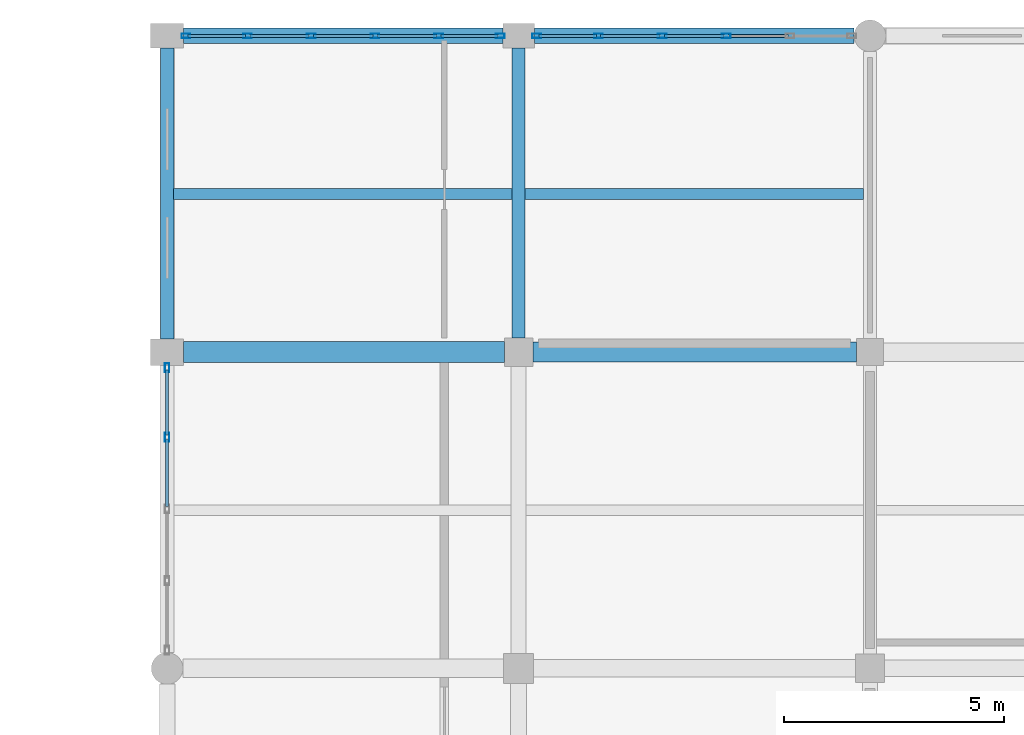
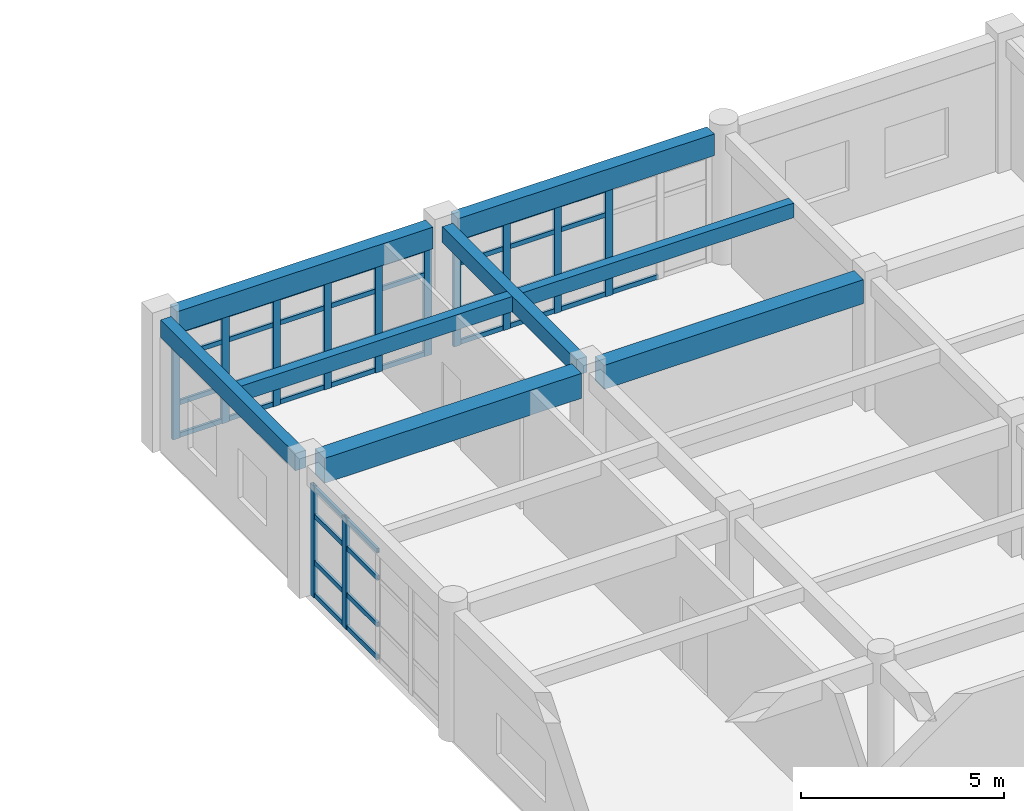
# One storey, part 112 of 195: 53 members, 8 beams, 3 elements without a shape of their own.
"""IFC4 building model written with IfcOpenShell, lengths in metres."""

from ifc_helpers import new_model, si_unit, direction, frame, origin, origin_2d, place, context, subcontext, project, spatial, rectangle, hollow_rectangle, extrude, material, material_profile, profile_set, type_object, element, aggregate, save


model = new_model("IFC4")

# Units and contexts
model_context = context("Model", 3, precision=1e-05, world=origin(), true_north=direction((0.0, 1.0)))
body_context = subcontext(model_context, "Body", "Model", "MODEL_VIEW")
ifc_project = project(units=[si_unit("LENGTHUNIT", "METRE"), si_unit("AREAUNIT", "SQUARE_METRE"), si_unit("VOLUMEUNIT", "CUBIC_METRE"), si_unit("PLANEANGLEUNIT", "RADIAN"), si_unit("MASSUNIT", "GRAM", prefix="KILO")], contexts=[model_context])

# Site, building, storey
site_placement = place(None, origin())
site = spatial("IfcSite", under=ifc_project, at=site_placement, CompositionType="ELEMENT")
building_placement = place(site_placement, origin())
building = spatial("IfcBuilding", under=site, at=building_placement, Name="Kharva Crest Polytechnic", CompositionType="ELEMENT")
storey_placement = place(building_placement, frame((0.0, 0.0, 9.0)))
storey = spatial("IfcBuildingStorey", under=building, at=storey_placement, Name="L02", CompositionType="ELEMENT", Elevation=9.0)

# Beams
ifc_material_1 = material(Name="Concrete C35/45", Category="concrete")
ifc_material_profile_1 = material_profile(ifc_material_1, rectangle(XDim=0.300048828125, YDim=0.47998046875, at=origin_2d()), Name="RECT 300 X 480")
ifc_profile_set_1 = profile_set([ifc_material_profile_1], Name="Concrete C35/45")
beam_type_1 = type_object("IfcBeamType", Name="BM-RC-300X480", PredefinedType="BEAM", material=ifc_profile_set_1)
beam_1_placement = place(storey_placement, frame((40.0, 115.125, 3.679931640625), z_axis=(0.0, 1.0, 0.0), x_axis=(-1.0, 0.0, 0.0)))
element("IfcBeam", 1, at=beam_1_placement, inside=storey, type_object=beam_type_1, Name="L02 Girder 6/R-S", PredefinedType="BEAM", context=body_context, shape_type="SweptSolid", body=[
    extrude(rectangle(XDim=0.300048828125, YDim=0.47998046875, at=origin_2d()), origin(), (0.0, 0.0, 1.0), 6.60009765625),
])
ifc_material_profile_2 = material_profile(ifc_material_1, rectangle(XDim=0.449951171875, YDim=0.719970703125, at=origin_2d()), Name="RECT 450 X 720")
ifc_profile_set_2 = profile_set([ifc_material_profile_2], Name="Concrete C35/45")
beam_type_2 = type_object("IfcBeamType", Name="BM-RC-450X720", PredefinedType="BEAM", material=ifc_profile_set_2)
beam_2_placement = place(storey_placement, frame((40.324951171875, 114.800048828125, 3.56005859375), z_axis=(1.0, 0.0, 0.0), x_axis=(0.0, 1.0, 0.0)))
element("IfcBeam", 2, at=beam_2_placement, inside=storey, type_object=beam_type_2, Name="L02 Beam R/6-7", PredefinedType="BEAM", context=body_context, shape_type="SweptSolid", body=[
    extrude(rectangle(XDim=0.449951171875, YDim=0.719970703125, at=origin_2d()), origin(), (0.0, 0.0, 1.0), 7.364990234375),
])
ifc_material_profile_3 = material_profile(ifc_material_1, rectangle(XDim=0.47998046875, YDim=0.75, at=origin_2d()), Name="RECT 480 X 750")
ifc_profile_set_3 = profile_set([ifc_material_profile_3], Name="Concrete C35/45")
beam_type_3 = type_object("IfcBeamType", Name="BM-RC-480X750", PredefinedType="BEAM", material=ifc_profile_set_3)
beam_3_placement = place(storey_placement, frame((32.375, 114.800048828125, 3.544921875), z_axis=(1.0, 0.0, 0.0), x_axis=(0.0, 1.0, 0.0)))
element("IfcBeam", 3, at=beam_3_placement, inside=storey, type_object=beam_type_3, Name="L02 Beam R/5-6", PredefinedType="BEAM", context=body_context, shape_type="SweptSolid", body=[
    extrude(rectangle(XDim=0.47998046875, YDim=0.75, at=origin_2d()), origin(), (0.0, 0.0, 1.0), 7.300048828125),
])

# Curtain wall, members
ifc_material_2 = material(Name="Tempered insulated glass", Category="glass")
curtain_wall_type = type_object("IfcCurtainWallType", Name="CW-SYS-LIBRARY", PredefinedType="USERDEFINED", material=ifc_material_2)
curtain_wall_1_placement = place(storey_placement, origin())
curtain_wall_1 = element("IfcCurtainWall", 4, at=curtain_wall_1_placement, inside=storey, type_object=curtain_wall_type, Name="L02 Glazed Curtain Wall CW-121", ObjectType="CURTAIN WALL", PredefinedType="USERDEFINED")
ifc_material_3 = material(Name="Steel S355", Category="steel")
ifc_material_profile_4 = material_profile(ifc_material_3, hollow_rectangle(XDim=0.10009765625, YDim=0.199951171875, WallThickness=0.00634765625, at=origin_2d()), Name="RHS 200X100X6.3")
ifc_profile_set_4 = profile_set([ifc_material_profile_4], Name="Steel S355")
member_type_1 = type_object("IfcMemberType", Name="CWM-RHS200X100", PredefinedType="MULLION", material=ifc_profile_set_4)
member_1_placement = place(storey_placement, frame((44.72705078125, 122.0, 0.0), z_axis=(0.0, 0.0, 1.0), x_axis=(0.0, -1.0, 0.0)))
member_1 = element("IfcMember", 5, at=member_1_placement, type_object=member_type_1, Name="CW-121 mullion 3", PredefinedType="MULLION", context=body_context, shape_type="SweptSolid", body=[
    extrude(hollow_rectangle(XDim=0.10009765625, YDim=0.199951171875, WallThickness=0.00634765625, at=origin_2d()), origin(), (0.0, 0.0, 1.0), 3.27001953125),
])
member_2_placement = place(storey_placement, frame((43.27294921875, 122.0, 0.0), z_axis=(0.0, 0.0, 1.0), x_axis=(0.0, -1.0, 0.0)))
member_2 = element("IfcMember", 6, at=member_2_placement, type_object=member_type_1, Name="CW-121 mullion 4", PredefinedType="MULLION", context=body_context, shape_type="SweptSolid", body=[
    extrude(hollow_rectangle(XDim=0.10009765625, YDim=0.199951171875, WallThickness=0.00634765625, at=origin_2d()), origin(), (0.0, 0.0, 1.0), 3.27001953125),
])
member_3_placement = place(storey_placement, frame((41.819091796875, 122.0, 0.0), z_axis=(0.0, 0.0, 1.0), x_axis=(0.0, -1.0, 0.0)))
member_3 = element("IfcMember", 7, at=member_3_placement, type_object=member_type_1, Name="CW-121 mullion 5", PredefinedType="MULLION", context=body_context, shape_type="SweptSolid", body=[
    extrude(hollow_rectangle(XDim=0.10009765625, YDim=0.199951171875, WallThickness=0.00634765625, at=origin_2d()), origin(), (0.0, 0.0, 1.0), 3.27001953125),
])
member_4_placement = place(storey_placement, frame((40.4150390625, 122.0, 0.0), z_axis=(0.0, 0.0, 1.0), x_axis=(0.0, -1.0, 0.0)))
member_4 = element("IfcMember", 8, at=member_4_placement, type_object=member_type_1, Name="CW-121 mullion 6", PredefinedType="MULLION", context=body_context, shape_type="SweptSolid", body=[
    extrude(hollow_rectangle(XDim=0.10009765625, YDim=0.199951171875, WallThickness=0.00634765625, at=origin_2d()), origin(), (0.0, 0.0, 1.0), 3.27001953125),
])

curtain_wall_2_placement = place(storey_placement, origin())
curtain_wall_2 = element("IfcCurtainWall", 9, at=curtain_wall_2_placement, inside=storey, type_object=curtain_wall_type, Name="L02 Glazed Curtain Wall CW-122", ObjectType="CURTAIN WALL", PredefinedType="USERDEFINED")
member_5_placement = place(storey_placement, frame((39.5849609375, 122.0, 0.0), z_axis=(0.0, 0.0, 1.0), x_axis=(0.0, -1.0, 0.0)))
member_5 = element("IfcMember", 10, at=member_5_placement, type_object=member_type_1, Name="CW-122 mullion 1", PredefinedType="MULLION", context=body_context, shape_type="SweptSolid", body=[
    extrude(hollow_rectangle(XDim=0.10009765625, YDim=0.199951171875, WallThickness=0.00634765625, at=origin_2d()), origin(), (0.0, 0.0, 1.0), 3.27001953125),
])
member_6_placement = place(storey_placement, frame((38.18408203125, 122.0, 0.0), z_axis=(0.0, 0.0, 1.0), x_axis=(0.0, -1.0, 0.0)))
member_6 = element("IfcMember", 11, at=member_6_placement, type_object=member_type_1, Name="CW-122 mullion 2", PredefinedType="MULLION", context=body_context, shape_type="SweptSolid", body=[
    extrude(hollow_rectangle(XDim=0.10009765625, YDim=0.199951171875, WallThickness=0.00634765625, at=origin_2d()), origin(), (0.0, 0.0, 1.0), 3.27001953125),
])
member_7_placement = place(storey_placement, frame((36.73291015625, 122.0, 0.0), z_axis=(0.0, 0.0, 1.0), x_axis=(0.0, -1.0, 0.0)))
member_7 = element("IfcMember", 12, at=member_7_placement, type_object=member_type_1, Name="CW-122 mullion 3", PredefinedType="MULLION", context=body_context, shape_type="SweptSolid", body=[
    extrude(hollow_rectangle(XDim=0.10009765625, YDim=0.199951171875, WallThickness=0.00634765625, at=origin_2d()), origin(), (0.0, 0.0, 1.0), 3.27001953125),
])
member_8_placement = place(storey_placement, frame((35.281982421875, 122.0, 0.0), z_axis=(0.0, 0.0, 1.0), x_axis=(0.0, -1.0, 0.0)))
member_8 = element("IfcMember", 13, at=member_8_placement, type_object=member_type_1, Name="CW-122 mullion 4", PredefinedType="MULLION", context=body_context, shape_type="SweptSolid", body=[
    extrude(hollow_rectangle(XDim=0.10009765625, YDim=0.199951171875, WallThickness=0.00634765625, at=origin_2d()), origin(), (0.0, 0.0, 1.0), 3.27001953125),
])
member_9_placement = place(storey_placement, frame((33.8310546875, 122.0, 0.0), z_axis=(0.0, 0.0, 1.0), x_axis=(0.0, -1.0, 0.0)))
member_9 = element("IfcMember", 14, at=member_9_placement, type_object=member_type_1, Name="CW-122 mullion 5", PredefinedType="MULLION", context=body_context, shape_type="SweptSolid", body=[
    extrude(hollow_rectangle(XDim=0.10009765625, YDim=0.199951171875, WallThickness=0.00634765625, at=origin_2d()), origin(), (0.0, 0.0, 1.0), 3.27001953125),
])
member_10_placement = place(storey_placement, frame((32.429931640625, 122.0, 0.0), z_axis=(0.0, 0.0, 1.0), x_axis=(0.0, -1.0, 0.0)))
member_10 = element("IfcMember", 15, at=member_10_placement, type_object=member_type_1, Name="CW-122 mullion 6", PredefinedType="MULLION", context=body_context, shape_type="SweptSolid", body=[
    extrude(hollow_rectangle(XDim=0.10009765625, YDim=0.199951171875, WallThickness=0.00634765625, at=origin_2d()), origin(), (0.0, 0.0, 1.0), 3.27001953125),
])

curtain_wall_3_placement = place(storey_placement, origin())
curtain_wall_3 = element("IfcCurtainWall", 16, at=curtain_wall_3_placement, inside=storey, type_object=curtain_wall_type, Name="L02 Glazed Curtain Wall CW-123", ObjectType="CURTAIN WALL", PredefinedType="USERDEFINED")
member_11_placement = place(storey_placement, frame((32.0, 114.445068359375, 0.0), z_axis=(0.0, 0.0, 1.0), x_axis=(1.0, 0.0, 0.0)))
member_11 = element("IfcMember", 17, at=member_11_placement, type_object=member_type_1, Name="CW-123 mullion 1", PredefinedType="MULLION", context=body_context, shape_type="SweptSolid", body=[
    extrude(hollow_rectangle(XDim=0.10009765625, YDim=0.199951171875, WallThickness=0.00634765625, at=origin_2d()), origin(), (0.0, 0.0, 1.0), 3.340087890625),
])
member_12_placement = place(storey_placement, frame((32.0, 112.862548828125, 0.0), z_axis=(0.0, 0.0, 1.0), x_axis=(1.0, 0.0, 0.0)))
member_12 = element("IfcMember", 18, at=member_12_placement, type_object=member_type_1, Name="CW-123 mullion 2", PredefinedType="MULLION", context=body_context, shape_type="SweptSolid", body=[
    extrude(hollow_rectangle(XDim=0.10009765625, YDim=0.199951171875, WallThickness=0.00634765625, at=origin_2d()), origin(), (0.0, 0.0, 1.0), 3.340087890625),
])

# Member
ifc_material_profile_5 = material_profile(ifc_material_3, hollow_rectangle(XDim=0.070068359375, YDim=0.139892578125, WallThickness=0.00390625, at=origin_2d()), Name="RHS 140X70X4.0")
ifc_profile_set_5 = profile_set([ifc_material_profile_5], Name="Steel S355")
member_type_2 = type_object("IfcMemberType", Name="CWT-RHS140X70", PredefinedType="USERDEFINED", material=ifc_profile_set_5)
member_13_placement = place(storey_placement, frame((46.131103515625, 122.0, 0.070068359375), z_axis=(-1.0, 0.0, 0.0), x_axis=(0.0, -1.0, 0.0)))
member_13 = element("IfcMember", 19, at=member_13_placement, type_object=member_type_2, Name="CW-121 transom 2.1", ObjectType="TRANSOM", PredefinedType="USERDEFINED", context=body_context, shape_type="SweptSolid", body=[
    extrude(hollow_rectangle(XDim=0.070068359375, YDim=0.139892578125, WallThickness=0.00390625, at=origin_2d()), origin(), (0.0, 0.0, 1.0), 1.35400390625),
])

member_14_placement = place(storey_placement, frame((44.677001953125, 122.0, 0.070068359375), z_axis=(-1.0, 0.0, 0.0), x_axis=(0.0, -1.0, 0.0)))
member_14 = element("IfcMember", 20, at=member_14_placement, type_object=member_type_2, Name="CW-121 transom 3.1", ObjectType="TRANSOM", PredefinedType="USERDEFINED", context=body_context, shape_type="SweptSolid", body=[
    extrude(hollow_rectangle(XDim=0.070068359375, YDim=0.139892578125, WallThickness=0.00390625, at=origin_2d()), origin(), (0.0, 0.0, 1.0), 1.35400390625),
])

member_15_placement = place(storey_placement, frame((44.677001953125, 122.0, 1.050048828125), z_axis=(-1.0, 0.0, 0.0), x_axis=(0.0, -1.0, 0.0)))
member_15 = element("IfcMember", 21, at=member_15_placement, type_object=member_type_2, Name="CW-121 transom 3.2", ObjectType="TRANSOM", PredefinedType="USERDEFINED", context=body_context, shape_type="SweptSolid", body=[
    extrude(hollow_rectangle(XDim=0.070068359375, YDim=0.139892578125, WallThickness=0.00390625, at=origin_2d()), origin(), (0.0, 0.0, 1.0), 1.35400390625),
])

member_16_placement = place(storey_placement, frame((44.677001953125, 122.0, 2.449951171875), z_axis=(-1.0, 0.0, 0.0), x_axis=(0.0, -1.0, 0.0)))
member_16 = element("IfcMember", 22, at=member_16_placement, type_object=member_type_2, Name="CW-121 transom 3.3", ObjectType="TRANSOM", PredefinedType="USERDEFINED", context=body_context, shape_type="SweptSolid", body=[
    extrude(hollow_rectangle(XDim=0.070068359375, YDim=0.139892578125, WallThickness=0.00390625, at=origin_2d()), origin(), (0.0, 0.0, 1.0), 1.35400390625),
])

member_17_placement = place(storey_placement, frame((44.677001953125, 122.0, 3.199951171875), z_axis=(-1.0, 0.0, 0.0), x_axis=(0.0, -1.0, 0.0)))
member_17 = element("IfcMember", 23, at=member_17_placement, type_object=member_type_2, Name="CW-121 transom 3.4", ObjectType="TRANSOM", PredefinedType="USERDEFINED", context=body_context, shape_type="SweptSolid", body=[
    extrude(hollow_rectangle(XDim=0.070068359375, YDim=0.139892578125, WallThickness=0.00390625, at=origin_2d()), origin(), (0.0, 0.0, 1.0), 1.35400390625),
])

member_18_placement = place(storey_placement, frame((43.222900390625, 122.0, 0.070068359375), z_axis=(-1.0, 0.0, 0.0), x_axis=(0.0, -1.0, 0.0)))
member_18 = element("IfcMember", 24, at=member_18_placement, type_object=member_type_2, Name="CW-121 transom 4.1", ObjectType="TRANSOM", PredefinedType="USERDEFINED", context=body_context, shape_type="SweptSolid", body=[
    extrude(hollow_rectangle(XDim=0.070068359375, YDim=0.139892578125, WallThickness=0.00390625, at=origin_2d()), origin(), (0.0, 0.0, 1.0), 1.35400390625),
])

member_19_placement = place(storey_placement, frame((43.222900390625, 122.0, 1.050048828125), z_axis=(-1.0, 0.0, 0.0), x_axis=(0.0, -1.0, 0.0)))
member_19 = element("IfcMember", 25, at=member_19_placement, type_object=member_type_2, Name="CW-121 transom 4.2", ObjectType="TRANSOM", PredefinedType="USERDEFINED", context=body_context, shape_type="SweptSolid", body=[
    extrude(hollow_rectangle(XDim=0.070068359375, YDim=0.139892578125, WallThickness=0.00390625, at=origin_2d()), origin(), (0.0, 0.0, 1.0), 1.35400390625),
])

member_20_placement = place(storey_placement, frame((43.222900390625, 122.0, 2.449951171875), z_axis=(-1.0, 0.0, 0.0), x_axis=(0.0, -1.0, 0.0)))
member_20 = element("IfcMember", 26, at=member_20_placement, type_object=member_type_2, Name="CW-121 transom 4.3", ObjectType="TRANSOM", PredefinedType="USERDEFINED", context=body_context, shape_type="SweptSolid", body=[
    extrude(hollow_rectangle(XDim=0.070068359375, YDim=0.139892578125, WallThickness=0.00390625, at=origin_2d()), origin(), (0.0, 0.0, 1.0), 1.35400390625),
])

member_21_placement = place(storey_placement, frame((43.222900390625, 122.0, 3.199951171875), z_axis=(-1.0, 0.0, 0.0), x_axis=(0.0, -1.0, 0.0)))
member_21 = element("IfcMember", 27, at=member_21_placement, type_object=member_type_2, Name="CW-121 transom 4.4", ObjectType="TRANSOM", PredefinedType="USERDEFINED", context=body_context, shape_type="SweptSolid", body=[
    extrude(hollow_rectangle(XDim=0.070068359375, YDim=0.139892578125, WallThickness=0.00390625, at=origin_2d()), origin(), (0.0, 0.0, 1.0), 1.35400390625),
])

member_22_placement = place(storey_placement, frame((41.76904296875, 122.0, 0.070068359375), z_axis=(-1.0, 0.0, 0.0), x_axis=(0.0, -1.0, 0.0)))
member_22 = element("IfcMember", 28, at=member_22_placement, type_object=member_type_2, Name="CW-121 transom 5.1", ObjectType="TRANSOM", PredefinedType="USERDEFINED", context=body_context, shape_type="SweptSolid", body=[
    extrude(hollow_rectangle(XDim=0.070068359375, YDim=0.139892578125, WallThickness=0.00390625, at=origin_2d()), origin(), (0.0, 0.0, 1.0), 1.303955078125),
])

member_23_placement = place(storey_placement, frame((41.76904296875, 122.0, 1.050048828125), z_axis=(-1.0, 0.0, 0.0), x_axis=(0.0, -1.0, 0.0)))
member_23 = element("IfcMember", 29, at=member_23_placement, type_object=member_type_2, Name="CW-121 transom 5.2", ObjectType="TRANSOM", PredefinedType="USERDEFINED", context=body_context, shape_type="SweptSolid", body=[
    extrude(hollow_rectangle(XDim=0.070068359375, YDim=0.139892578125, WallThickness=0.00390625, at=origin_2d()), origin(), (0.0, 0.0, 1.0), 1.303955078125),
])

member_24_placement = place(storey_placement, frame((41.76904296875, 122.0, 2.449951171875), z_axis=(-1.0, 0.0, 0.0), x_axis=(0.0, -1.0, 0.0)))
member_24 = element("IfcMember", 30, at=member_24_placement, type_object=member_type_2, Name="CW-121 transom 5.3", ObjectType="TRANSOM", PredefinedType="USERDEFINED", context=body_context, shape_type="SweptSolid", body=[
    extrude(hollow_rectangle(XDim=0.070068359375, YDim=0.139892578125, WallThickness=0.00390625, at=origin_2d()), origin(), (0.0, 0.0, 1.0), 1.303955078125),
])

member_25_placement = place(storey_placement, frame((41.76904296875, 122.0, 3.199951171875), z_axis=(-1.0, 0.0, 0.0), x_axis=(0.0, -1.0, 0.0)))
member_25 = element("IfcMember", 31, at=member_25_placement, type_object=member_type_2, Name="CW-121 transom 5.4", ObjectType="TRANSOM", PredefinedType="USERDEFINED", context=body_context, shape_type="SweptSolid", body=[
    extrude(hollow_rectangle(XDim=0.070068359375, YDim=0.139892578125, WallThickness=0.00390625, at=origin_2d()), origin(), (0.0, 0.0, 1.0), 1.303955078125),
])

aggregate(curtain_wall_1, [member_1, member_2, member_3, member_4, member_13, member_14, member_15, member_16, member_17, member_18, member_19, member_20, member_21, member_22, member_23, member_24, member_25])

member_26_placement = place(storey_placement, frame((39.534912109375, 122.0, 0.070068359375), z_axis=(-1.0, 0.0, 0.0), x_axis=(0.0, -1.0, 0.0)))
member_26 = element("IfcMember", 32, at=member_26_placement, type_object=member_type_2, Name="CW-122 transom 1.1", ObjectType="TRANSOM", PredefinedType="USERDEFINED", context=body_context, shape_type="SweptSolid", body=[
    extrude(hollow_rectangle(XDim=0.070068359375, YDim=0.139892578125, WallThickness=0.00390625, at=origin_2d()), origin(), (0.0, 0.0, 1.0), 1.301025390625),
])

member_27_placement = place(storey_placement, frame((39.534912109375, 122.0, 1.050048828125), z_axis=(-1.0, 0.0, 0.0), x_axis=(0.0, -1.0, 0.0)))
member_27 = element("IfcMember", 33, at=member_27_placement, type_object=member_type_2, Name="CW-122 transom 1.2", ObjectType="TRANSOM", PredefinedType="USERDEFINED", context=body_context, shape_type="SweptSolid", body=[
    extrude(hollow_rectangle(XDim=0.070068359375, YDim=0.139892578125, WallThickness=0.00390625, at=origin_2d()), origin(), (0.0, 0.0, 1.0), 1.301025390625),
])

member_28_placement = place(storey_placement, frame((39.534912109375, 122.0, 2.449951171875), z_axis=(-1.0, 0.0, 0.0), x_axis=(0.0, -1.0, 0.0)))
member_28 = element("IfcMember", 34, at=member_28_placement, type_object=member_type_2, Name="CW-122 transom 1.3", ObjectType="TRANSOM", PredefinedType="USERDEFINED", context=body_context, shape_type="SweptSolid", body=[
    extrude(hollow_rectangle(XDim=0.070068359375, YDim=0.139892578125, WallThickness=0.00390625, at=origin_2d()), origin(), (0.0, 0.0, 1.0), 1.301025390625),
])

member_29_placement = place(storey_placement, frame((39.534912109375, 122.0, 3.199951171875), z_axis=(-1.0, 0.0, 0.0), x_axis=(0.0, -1.0, 0.0)))
member_29 = element("IfcMember", 35, at=member_29_placement, type_object=member_type_2, Name="CW-122 transom 1.4", ObjectType="TRANSOM", PredefinedType="USERDEFINED", context=body_context, shape_type="SweptSolid", body=[
    extrude(hollow_rectangle(XDim=0.070068359375, YDim=0.139892578125, WallThickness=0.00390625, at=origin_2d()), origin(), (0.0, 0.0, 1.0), 1.301025390625),
])

member_30_placement = place(storey_placement, frame((38.134033203125, 122.0, 0.070068359375), z_axis=(-1.0, 0.0, 0.0), x_axis=(0.0, -1.0, 0.0)))
member_30 = element("IfcMember", 36, at=member_30_placement, type_object=member_type_2, Name="CW-122 transom 2.1", ObjectType="TRANSOM", PredefinedType="USERDEFINED", context=body_context, shape_type="SweptSolid", body=[
    extrude(hollow_rectangle(XDim=0.070068359375, YDim=0.139892578125, WallThickness=0.00390625, at=origin_2d()), origin(), (0.0, 0.0, 1.0), 1.35107421875),
])

member_31_placement = place(storey_placement, frame((38.134033203125, 122.0, 1.050048828125), z_axis=(-1.0, 0.0, 0.0), x_axis=(0.0, -1.0, 0.0)))
member_31 = element("IfcMember", 37, at=member_31_placement, type_object=member_type_2, Name="CW-122 transom 2.2", ObjectType="TRANSOM", PredefinedType="USERDEFINED", context=body_context, shape_type="SweptSolid", body=[
    extrude(hollow_rectangle(XDim=0.070068359375, YDim=0.139892578125, WallThickness=0.00390625, at=origin_2d()), origin(), (0.0, 0.0, 1.0), 1.35107421875),
])

member_32_placement = place(storey_placement, frame((38.134033203125, 122.0, 2.449951171875), z_axis=(-1.0, 0.0, 0.0), x_axis=(0.0, -1.0, 0.0)))
member_32 = element("IfcMember", 38, at=member_32_placement, type_object=member_type_2, Name="CW-122 transom 2.3", ObjectType="TRANSOM", PredefinedType="USERDEFINED", context=body_context, shape_type="SweptSolid", body=[
    extrude(hollow_rectangle(XDim=0.070068359375, YDim=0.139892578125, WallThickness=0.00390625, at=origin_2d()), origin(), (0.0, 0.0, 1.0), 1.35107421875),
])

member_33_placement = place(storey_placement, frame((38.134033203125, 122.0, 3.199951171875), z_axis=(-1.0, 0.0, 0.0), x_axis=(0.0, -1.0, 0.0)))
member_33 = element("IfcMember", 39, at=member_33_placement, type_object=member_type_2, Name="CW-122 transom 2.4", ObjectType="TRANSOM", PredefinedType="USERDEFINED", context=body_context, shape_type="SweptSolid", body=[
    extrude(hollow_rectangle(XDim=0.070068359375, YDim=0.139892578125, WallThickness=0.00390625, at=origin_2d()), origin(), (0.0, 0.0, 1.0), 1.35107421875),
])

member_34_placement = place(storey_placement, frame((36.68310546875, 122.0, 0.070068359375), z_axis=(-1.0, 0.0, 0.0), x_axis=(0.0, -1.0, 0.0)))
member_34 = element("IfcMember", 40, at=member_34_placement, type_object=member_type_2, Name="CW-122 transom 3.1", ObjectType="TRANSOM", PredefinedType="USERDEFINED", context=body_context, shape_type="SweptSolid", body=[
    extrude(hollow_rectangle(XDim=0.070068359375, YDim=0.139892578125, WallThickness=0.00390625, at=origin_2d()), origin(), (0.0, 0.0, 1.0), 1.35107421875),
])

member_35_placement = place(storey_placement, frame((36.68310546875, 122.0, 1.050048828125), z_axis=(-1.0, 0.0, 0.0), x_axis=(0.0, -1.0, 0.0)))
member_35 = element("IfcMember", 41, at=member_35_placement, type_object=member_type_2, Name="CW-122 transom 3.2", ObjectType="TRANSOM", PredefinedType="USERDEFINED", context=body_context, shape_type="SweptSolid", body=[
    extrude(hollow_rectangle(XDim=0.070068359375, YDim=0.139892578125, WallThickness=0.00390625, at=origin_2d()), origin(), (0.0, 0.0, 1.0), 1.35107421875),
])

member_36_placement = place(storey_placement, frame((36.68310546875, 122.0, 2.449951171875), z_axis=(-1.0, 0.0, 0.0), x_axis=(0.0, -1.0, 0.0)))
member_36 = element("IfcMember", 42, at=member_36_placement, type_object=member_type_2, Name="CW-122 transom 3.3", ObjectType="TRANSOM", PredefinedType="USERDEFINED", context=body_context, shape_type="SweptSolid", body=[
    extrude(hollow_rectangle(XDim=0.070068359375, YDim=0.139892578125, WallThickness=0.00390625, at=origin_2d()), origin(), (0.0, 0.0, 1.0), 1.35107421875),
])

member_37_placement = place(storey_placement, frame((36.68310546875, 122.0, 3.199951171875), z_axis=(-1.0, 0.0, 0.0), x_axis=(0.0, -1.0, 0.0)))
member_37 = element("IfcMember", 43, at=member_37_placement, type_object=member_type_2, Name="CW-122 transom 3.4", ObjectType="TRANSOM", PredefinedType="USERDEFINED", context=body_context, shape_type="SweptSolid", body=[
    extrude(hollow_rectangle(XDim=0.070068359375, YDim=0.139892578125, WallThickness=0.00390625, at=origin_2d()), origin(), (0.0, 0.0, 1.0), 1.35107421875),
])

member_38_placement = place(storey_placement, frame((35.23193359375, 122.0, 0.070068359375), z_axis=(-1.0, 0.0, 0.0), x_axis=(0.0, -1.0, 0.0)))
member_38 = element("IfcMember", 44, at=member_38_placement, type_object=member_type_2, Name="CW-122 transom 4.1", ObjectType="TRANSOM", PredefinedType="USERDEFINED", context=body_context, shape_type="SweptSolid", body=[
    extrude(hollow_rectangle(XDim=0.070068359375, YDim=0.139892578125, WallThickness=0.00390625, at=origin_2d()), origin(), (0.0, 0.0, 1.0), 1.350830078125),
])

member_39_placement = place(storey_placement, frame((35.23193359375, 122.0, 1.050048828125), z_axis=(-1.0, 0.0, 0.0), x_axis=(0.0, -1.0, 0.0)))
member_39 = element("IfcMember", 45, at=member_39_placement, type_object=member_type_2, Name="CW-122 transom 4.2", ObjectType="TRANSOM", PredefinedType="USERDEFINED", context=body_context, shape_type="SweptSolid", body=[
    extrude(hollow_rectangle(XDim=0.070068359375, YDim=0.139892578125, WallThickness=0.00390625, at=origin_2d()), origin(), (0.0, 0.0, 1.0), 1.350830078125),
])

member_40_placement = place(storey_placement, frame((35.23193359375, 122.0, 2.449951171875), z_axis=(-1.0, 0.0, 0.0), x_axis=(0.0, -1.0, 0.0)))
member_40 = element("IfcMember", 46, at=member_40_placement, type_object=member_type_2, Name="CW-122 transom 4.3", ObjectType="TRANSOM", PredefinedType="USERDEFINED", context=body_context, shape_type="SweptSolid", body=[
    extrude(hollow_rectangle(XDim=0.070068359375, YDim=0.139892578125, WallThickness=0.00390625, at=origin_2d()), origin(), (0.0, 0.0, 1.0), 1.350830078125),
])

member_41_placement = place(storey_placement, frame((35.23193359375, 122.0, 3.199951171875), z_axis=(-1.0, 0.0, 0.0), x_axis=(0.0, -1.0, 0.0)))
member_41 = element("IfcMember", 47, at=member_41_placement, type_object=member_type_2, Name="CW-122 transom 4.4", ObjectType="TRANSOM", PredefinedType="USERDEFINED", context=body_context, shape_type="SweptSolid", body=[
    extrude(hollow_rectangle(XDim=0.070068359375, YDim=0.139892578125, WallThickness=0.00390625, at=origin_2d()), origin(), (0.0, 0.0, 1.0), 1.350830078125),
])

member_42_placement = place(storey_placement, frame((33.781005859375, 122.0, 0.070068359375), z_axis=(-1.0, 0.0, 0.0), x_axis=(0.0, -1.0, 0.0)))
member_42 = element("IfcMember", 48, at=member_42_placement, type_object=member_type_2, Name="CW-122 transom 5.1", ObjectType="TRANSOM", PredefinedType="USERDEFINED", context=body_context, shape_type="SweptSolid", body=[
    extrude(hollow_rectangle(XDim=0.070068359375, YDim=0.139892578125, WallThickness=0.00390625, at=origin_2d()), origin(), (0.0, 0.0, 1.0), 1.301025390625),
])

member_43_placement = place(storey_placement, frame((33.781005859375, 122.0, 1.050048828125), z_axis=(-1.0, 0.0, 0.0), x_axis=(0.0, -1.0, 0.0)))
member_43 = element("IfcMember", 49, at=member_43_placement, type_object=member_type_2, Name="CW-122 transom 5.2", ObjectType="TRANSOM", PredefinedType="USERDEFINED", context=body_context, shape_type="SweptSolid", body=[
    extrude(hollow_rectangle(XDim=0.070068359375, YDim=0.139892578125, WallThickness=0.00390625, at=origin_2d()), origin(), (0.0, 0.0, 1.0), 1.301025390625),
])

member_44_placement = place(storey_placement, frame((33.781005859375, 122.0, 2.449951171875), z_axis=(-1.0, 0.0, 0.0), x_axis=(0.0, -1.0, 0.0)))
member_44 = element("IfcMember", 50, at=member_44_placement, type_object=member_type_2, Name="CW-122 transom 5.3", ObjectType="TRANSOM", PredefinedType="USERDEFINED", context=body_context, shape_type="SweptSolid", body=[
    extrude(hollow_rectangle(XDim=0.070068359375, YDim=0.139892578125, WallThickness=0.00390625, at=origin_2d()), origin(), (0.0, 0.0, 1.0), 1.301025390625),
])

member_45_placement = place(storey_placement, frame((33.781005859375, 122.0, 3.199951171875), z_axis=(-1.0, 0.0, 0.0), x_axis=(0.0, -1.0, 0.0)))
member_45 = element("IfcMember", 51, at=member_45_placement, type_object=member_type_2, Name="CW-122 transom 5.4", ObjectType="TRANSOM", PredefinedType="USERDEFINED", context=body_context, shape_type="SweptSolid", body=[
    extrude(hollow_rectangle(XDim=0.070068359375, YDim=0.139892578125, WallThickness=0.00390625, at=origin_2d()), origin(), (0.0, 0.0, 1.0), 1.301025390625),
])

aggregate(curtain_wall_2, [member_5, member_6, member_7, member_8, member_9, member_10, member_26, member_27, member_28, member_29, member_30, member_31, member_32, member_33, member_34, member_35, member_36, member_37, member_38, member_39, member_40, member_41, member_42, member_43, member_44, member_45])

member_46_placement = place(storey_placement, frame((32.0, 114.39501953125, 0.070068359375), z_axis=(0.0, -1.0, 0.0), x_axis=(1.0, 0.0, 0.0)))
member_46 = element("IfcMember", 52, at=member_46_placement, type_object=member_type_2, Name="CW-123 transom 1.1", ObjectType="TRANSOM", PredefinedType="USERDEFINED", context=body_context, shape_type="SweptSolid", body=[
    extrude(hollow_rectangle(XDim=0.070068359375, YDim=0.139892578125, WallThickness=0.00390625, at=origin_2d()), origin(), (0.0, 0.0, 1.0), 1.482421875),
])

member_47_placement = place(storey_placement, frame((32.0, 114.39501953125, 1.050048828125), z_axis=(0.0, -1.0, 0.0), x_axis=(1.0, 0.0, 0.0)))
member_47 = element("IfcMember", 53, at=member_47_placement, type_object=member_type_2, Name="CW-123 transom 1.2", ObjectType="TRANSOM", PredefinedType="USERDEFINED", context=body_context, shape_type="SweptSolid", body=[
    extrude(hollow_rectangle(XDim=0.070068359375, YDim=0.139892578125, WallThickness=0.00390625, at=origin_2d()), origin(), (0.0, 0.0, 1.0), 1.482421875),
])

member_48_placement = place(storey_placement, frame((32.0, 114.39501953125, 2.449951171875), z_axis=(0.0, -1.0, 0.0), x_axis=(1.0, 0.0, 0.0)))
member_48 = element("IfcMember", 54, at=member_48_placement, type_object=member_type_2, Name="CW-123 transom 1.3", ObjectType="TRANSOM", PredefinedType="USERDEFINED", context=body_context, shape_type="SweptSolid", body=[
    extrude(hollow_rectangle(XDim=0.070068359375, YDim=0.139892578125, WallThickness=0.00390625, at=origin_2d()), origin(), (0.0, 0.0, 1.0), 1.482421875),
])

member_49_placement = place(storey_placement, frame((32.0, 114.39501953125, 3.27001953125), z_axis=(0.0, -1.0, 0.0), x_axis=(1.0, 0.0, 0.0)))
member_49 = element("IfcMember", 55, at=member_49_placement, type_object=member_type_2, Name="CW-123 transom 1.4", ObjectType="TRANSOM", PredefinedType="USERDEFINED", context=body_context, shape_type="SweptSolid", body=[
    extrude(hollow_rectangle(XDim=0.070068359375, YDim=0.139892578125, WallThickness=0.00390625, at=origin_2d()), origin(), (0.0, 0.0, 1.0), 1.482421875),
])

member_50_placement = place(storey_placement, frame((32.0, 112.8125, 0.070068359375), z_axis=(0.0, -1.0, 0.0), x_axis=(1.0, 0.0, 0.0)))
member_50 = element("IfcMember", 56, at=member_50_placement, type_object=member_type_2, Name="CW-123 transom 2.1", ObjectType="TRANSOM", PredefinedType="USERDEFINED", context=body_context, shape_type="SweptSolid", body=[
    extrude(hollow_rectangle(XDim=0.070068359375, YDim=0.139892578125, WallThickness=0.00390625, at=origin_2d()), origin(), (0.0, 0.0, 1.0), 1.532470703125),
])

member_51_placement = place(storey_placement, frame((32.0, 112.8125, 1.050048828125), z_axis=(0.0, -1.0, 0.0), x_axis=(1.0, 0.0, 0.0)))
member_51 = element("IfcMember", 57, at=member_51_placement, type_object=member_type_2, Name="CW-123 transom 2.2", ObjectType="TRANSOM", PredefinedType="USERDEFINED", context=body_context, shape_type="SweptSolid", body=[
    extrude(hollow_rectangle(XDim=0.070068359375, YDim=0.139892578125, WallThickness=0.00390625, at=origin_2d()), origin(), (0.0, 0.0, 1.0), 1.532470703125),
])

member_52_placement = place(storey_placement, frame((32.0, 112.8125, 2.449951171875), z_axis=(0.0, -1.0, 0.0), x_axis=(1.0, 0.0, 0.0)))
member_52 = element("IfcMember", 58, at=member_52_placement, type_object=member_type_2, Name="CW-123 transom 2.3", ObjectType="TRANSOM", PredefinedType="USERDEFINED", context=body_context, shape_type="SweptSolid", body=[
    extrude(hollow_rectangle(XDim=0.070068359375, YDim=0.139892578125, WallThickness=0.00390625, at=origin_2d()), origin(), (0.0, 0.0, 1.0), 1.532470703125),
])

member_53_placement = place(storey_placement, frame((32.0, 112.8125, 3.27001953125), z_axis=(0.0, -1.0, 0.0), x_axis=(1.0, 0.0, 0.0)))
member_53 = element("IfcMember", 59, at=member_53_placement, type_object=member_type_2, Name="CW-123 transom 2.4", ObjectType="TRANSOM", PredefinedType="USERDEFINED", context=body_context, shape_type="SweptSolid", body=[
    extrude(hollow_rectangle(XDim=0.070068359375, YDim=0.139892578125, WallThickness=0.00390625, at=origin_2d()), origin(), (0.0, 0.0, 1.0), 1.532470703125),
])

aggregate(curtain_wall_3, [member_11, member_12, member_46, member_47, member_48, member_49, member_50, member_51, member_52, member_53])

# Beams
ifc_material_profile_6 = material_profile(ifc_material_1, rectangle(XDim=0.25, YDim=0.43994140625, at=origin_2d()), Name="RECT 250 X 440")
ifc_profile_set_6 = profile_set([ifc_material_profile_6], Name="Concrete C35/45")
beam_type_4 = type_object("IfcBeamType", Name="JS-RC-250X440", PredefinedType="JOIST", material=ifc_profile_set_6)
beam_4_placement = place(storey_placement, frame((40.14990234375, 118.39990234375, 3.699951171875), z_axis=(1.0, 0.0, 0.0), x_axis=(0.0, 1.0, 0.0)))
element("IfcBeam", 60, at=beam_4_placement, inside=storey, type_object=beam_type_4, Name="L02 Floor Joist 54", PredefinedType="JOIST", context=body_context, shape_type="SweptSolid", body=[
    extrude(rectangle(XDim=0.25, YDim=0.43994140625, at=origin_2d()), origin(), (0.0, 0.0, 1.0), 7.7001953125),
])
ifc_material_profile_7 = material_profile(ifc_material_1, rectangle(XDim=0.260009765625, YDim=0.4599609375, at=origin_2d()), Name="RECT 260 X 460")
ifc_profile_set_7 = profile_set([ifc_material_profile_7], Name="Concrete C35/45")
beam_type_5 = type_object("IfcBeamType", Name="JS-RC-260X460", PredefinedType="JOIST", material=ifc_profile_set_7)
beam_5_placement = place(storey_placement, frame((32.14990234375, 118.39990234375, 3.68994140625), z_axis=(1.0, 0.0, 0.0), x_axis=(0.0, 1.0, 0.0)))
element("IfcBeam", 61, at=beam_5_placement, inside=storey, type_object=beam_type_5, Name="L02 Floor Joist 53", PredefinedType="JOIST", context=body_context, shape_type="SweptSolid", body=[
    extrude(rectangle(XDim=0.260009765625, YDim=0.4599609375, at=origin_2d()), origin(), (0.0, 0.0, 1.0), 7.7001953125),
])
ifc_material_profile_8 = material_profile(ifc_material_1, rectangle(XDim=0.300048828125, YDim=0.52001953125, at=origin_2d()), Name="RECT 300 X 520")
ifc_profile_set_8 = profile_set([ifc_material_profile_8], Name="Concrete C35/45")
beam_type_6 = type_object("IfcBeamType", Name="SP-RC-300X520", PredefinedType="SPANDREL", material=ifc_profile_set_8)
beam_6_placement = place(storey_placement, frame((32.0, 115.10009765625, 3.659912109375), z_axis=(0.0, 1.0, 0.0), x_axis=(-1.0, 0.0, 0.0)))
element("IfcBeam", 62, at=beam_6_placement, inside=storey, type_object=beam_type_6, Name="L02 Girder 5/R-S", PredefinedType="SPANDREL", context=body_context, shape_type="SweptSolid", body=[
    extrude(rectangle(XDim=0.300048828125, YDim=0.52001953125, at=origin_2d()), origin(), (0.0, 0.0, 1.0), 6.625),
])
ifc_material_profile_9 = material_profile(ifc_material_1, rectangle(XDim=0.360107421875, YDim=0.64990234375, at=origin_2d()), Name="RECT 360 X 650")
ifc_profile_set_9 = profile_set([ifc_material_profile_9], Name="Concrete C35/45")
beam_type_7 = type_object("IfcBeamType", Name="SP-RC-360X650", PredefinedType="SPANDREL", material=ifc_profile_set_9)
beam_7_placement = place(storey_placement, frame((32.375, 122.0, 3.594970703125), z_axis=(1.0, 0.0, 0.0), x_axis=(0.0, 1.0, 0.0)))
element("IfcBeam", 63, at=beam_7_placement, inside=storey, type_object=beam_type_7, Name="L02 Beam S/5-6", PredefinedType="SPANDREL", context=body_context, shape_type="SweptSolid", body=[
    extrude(rectangle(XDim=0.360107421875, YDim=0.64990234375, at=origin_2d()), origin(), (0.0, 0.0, 1.0), 7.264892578125),
])
beam_8_placement = place(storey_placement, frame((40.360107421875, 122.0, 3.594970703125), z_axis=(1.0, 0.0, 0.0), x_axis=(0.0, 1.0, 0.0)))
element("IfcBeam", 64, at=beam_8_placement, inside=storey, type_object=beam_type_7, Name="L02 Beam S/6-7", PredefinedType="SPANDREL", context=body_context, shape_type="SweptSolid", body=[
    extrude(rectangle(XDim=0.360107421875, YDim=0.64990234375, at=origin_2d()), origin(), (0.0, 0.0, 1.0), 7.27978515625),
])

save(model, "model.ifc")
